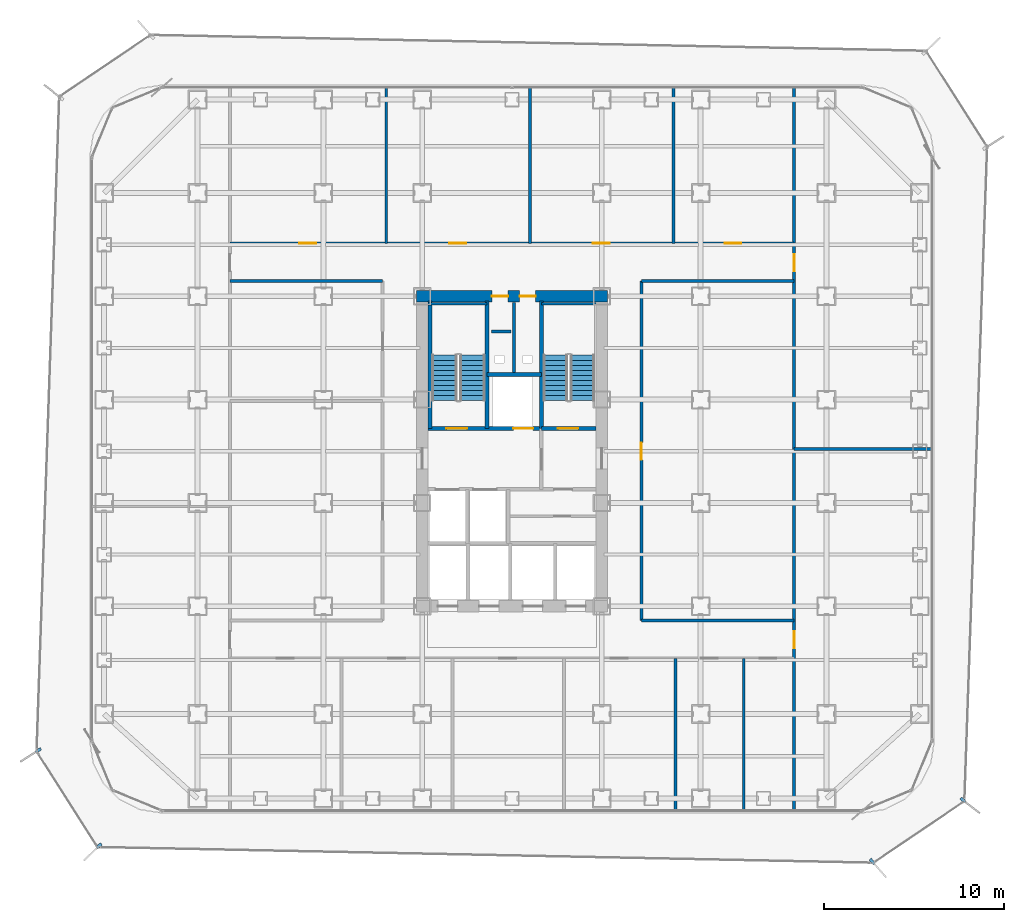
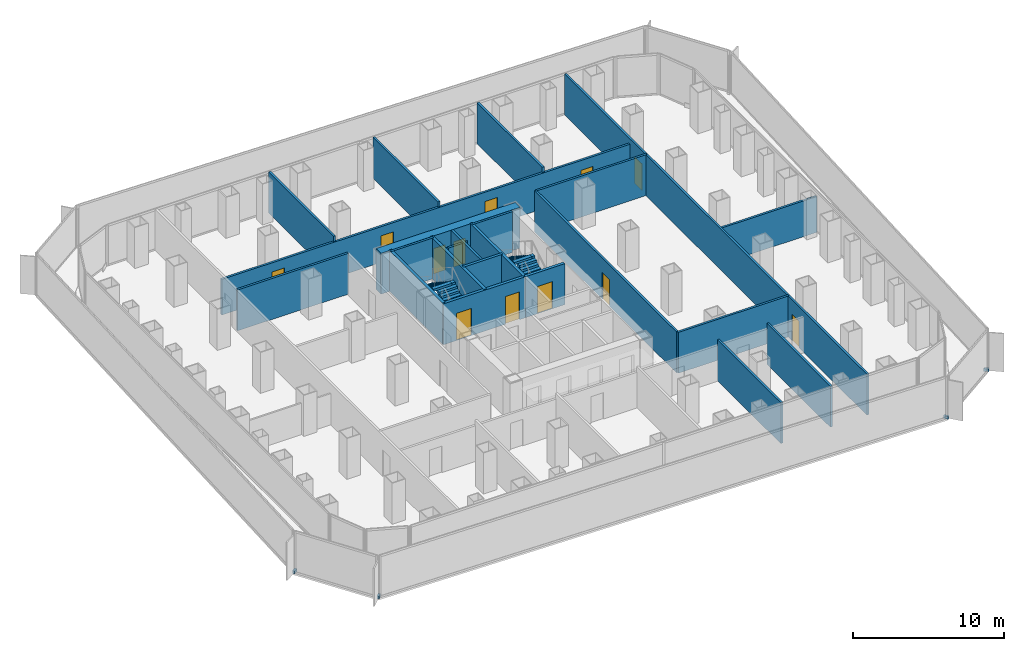
# One storey, part 18 of 22: 23 walls, 12 doors, 4 discrete accessories, 4 stair flights, 12 openings, 2 elements without a shape of their own.
"""IFC4 building model written with IfcOpenShell, lengths in metres."""

from ifc_helpers import new_model, si_unit, direction, frame, frame_2d, origin, origin_2d, place, context, subcontext, project, spatial, polyline, rectangle, outline, extrude, source, transform, mapped, material, layer, layer_set, type_object, element, fill, aggregate, save


model = new_model("IFC4")

# Units and contexts
model_context = context("Model", 3, precision=1e-05, world=origin(), true_north=direction((0.0, 1.0)))
body_context = subcontext(model_context, "Body", "Model", "MODEL_VIEW")
ifc_project = project(units=[si_unit("LENGTHUNIT", "METRE"), si_unit("AREAUNIT", "SQUARE_METRE"), si_unit("VOLUMEUNIT", "CUBIC_METRE"), si_unit("PLANEANGLEUNIT", "RADIAN"), si_unit("MASSUNIT", "GRAM", prefix="KILO")], contexts=[model_context])

# Site, building, storey
site_placement = place(None, origin())
site = spatial("IfcSite", under=ifc_project, at=site_placement, CompositionType="ELEMENT")
building_placement = place(site_placement, origin())
building = spatial("IfcBuilding", under=site, at=building_placement, Name="Kolveth Station Tower", CompositionType="ELEMENT")
storey_placement = place(building_placement, frame((0.0, 0.0, 65.699951171875)))
storey = spatial("IfcBuildingStorey", under=building, at=storey_placement, Name="L17", CompositionType="ELEMENT", Elevation=65.699951171875)

# Wall, openings, doors
ifc_material_1 = material(Name="Concrete C60/75", Category="concrete")
ifc_layer_1 = layer(ifc_material_1, 0.64990234375)
ifc_layer_set_1 = layer_set([ifc_layer_1], Name="Concrete C60/75")
wall_type_1 = type_object("IfcWallType", Name="Wall_CW-650", PredefinedType="SHEAR", material=ifc_layer_set_1)
wall_1_placement = place(storey_placement, frame((18.175048828125, 28.75, 0.0), z_axis=(0.0, 0.0, 1.0), x_axis=(1.0, 0.0, 0.0)))
wall_1 = element("IfcWall", 1, at=wall_1_placement, inside=storey, type_object=wall_type_1, Name="L17 Core RC Shear Wall N", PredefinedType="SHEAR", context=body_context, shape_type="SweptSolid", body=[
    extrude(rectangle(XDim=10.64990234375, YDim=0.64990234375, at=frame_2d((5.324951171875, 0.0))), origin(), (0.0, 0.0, 1.0), 3.320068359375),
])
opening_1_placement = place(wall_1_placement, frame((4.205078125, 0.0, 0.0)))
opening_1 = element("IfcOpeningElement", 2, at=opening_1_placement, cuts=wall_1, Name="Opening RD1", PredefinedType="OPENING", context=body_context, shape_type="SweptSolid", body=[
    extrude(rectangle(XDim=0.89990234375, YDim=2.050048828125, at=frame_2d((0.449951171875, 1.02490234375))), frame((0.0, 0.3349609375, 0.0), z_axis=(0.0, -1.0, 0.0), x_axis=(1.0, 0.0, 0.0)), (0.0, 0.0, 1.0), 0.669921875),
])
opening_2_placement = place(wall_1_placement, frame((5.7451171875, 0.0, 0.0)))
opening_2 = element("IfcOpeningElement", 3, at=opening_2_placement, cuts=wall_1, Name="Opening RD1", PredefinedType="OPENING", context=body_context, shape_type="SweptSolid", body=[
    extrude(rectangle(XDim=0.89990234375, YDim=2.050048828125, at=frame_2d((0.449951171875, 1.02490234375))), frame((0.0, 0.3349609375, 0.0), z_axis=(0.0, -1.0, 0.0), x_axis=(1.0, 0.0, 0.0)), (0.0, 0.0, 1.0), 0.669921875),
])
ifc_material_2 = material(Name="Fire-rated Steel S355 riser access leaf", Category="steel")
door_type_1 = type_object("IfcDoorType", Name="Door_RD1", OperationType="NOTDEFINED", PredefinedType="DOOR", material=ifc_material_2)
door_1_placement = place(opening_1_placement, origin())
door_1 = element("IfcDoor", 4, at=door_1_placement, inside=storey, type_object=door_type_1, Name="L17 Electrical Riser Access Door", OperationType="SINGLE_SWING_RIGHT", OverallHeight=2.050048828125, OverallWidth=0.89990234375, PredefinedType="DOOR", context=body_context, shape_type="SweptSolid", body=[
    extrude(rectangle(XDim=0.89990234375, YDim=2.050048828125, at=frame_2d((0.449951171875, 1.02490234375))), frame((0.0, 0.02490234375, 0.0), z_axis=(0.0, -1.0, 0.0), x_axis=(1.0, 0.0, 0.0)), (0.0, 0.0, 1.0), 0.050048828125),
])
fill(opening_1, door_1)
door_2_placement = place(opening_2_placement, origin())
door_2 = element("IfcDoor", 5, at=door_2_placement, inside=storey, type_object=door_type_1, Name="L17 Smoke Duct Access Door", OperationType="SINGLE_SWING_LEFT", OverallHeight=2.050048828125, OverallWidth=0.89990234375, PredefinedType="DOOR", context=body_context, shape_type="SweptSolid", body=[
    extrude(rectangle(XDim=0.89990234375, YDim=2.050048828125, at=frame_2d((0.449951171875, 1.02490234375))), frame((0.0, 0.02490234375, 0.0), z_axis=(0.0, -1.0, 0.0), x_axis=(1.0, 0.0, 0.0)), (0.0, 0.0, 1.0), 0.050048828125),
])
fill(opening_2, door_2)

# Walls
ifc_material_3 = material(Name="Acoustic double-stud gypsum partition")
ifc_layer_2 = layer(ifc_material_3, 0.1650390625)
ifc_layer_set_2 = layer_set([ifc_layer_2], Name="Acoustic double-stud gypsum partition")
wall_type_2 = type_object("IfcWallType", Name="Wall_IW-165", PredefinedType="PARTITIONING", material=ifc_layer_set_2)
wall_2_placement = place(storey_placement, frame((18.8349609375, 28.3349609375, 0.0), z_axis=(0.0, 0.0, 1.0), x_axis=(1.0, 0.0, 0.0)))
element("IfcWall", 6, at=wall_2_placement, inside=storey, type_object=wall_type_2, Name="L17 Stair Shaft Wall WL-L17-ST1-N", PredefinedType="PARTITIONING", context=body_context, shape_type="SweptSolid", body=[
    extrude(rectangle(XDim=3.275146484375, YDim=0.1650390625, at=frame_2d((1.6376953125, 0.0))), origin(), (0.0, 0.0, 1.0), 3.320068359375),
])
wall_3_placement = place(storey_placement, frame((25.1298828125, 28.3349609375, 0.0), z_axis=(0.0, 0.0, 1.0), x_axis=(1.0, 0.0, 0.0)))
element("IfcWall", 7, at=wall_3_placement, inside=storey, type_object=wall_type_2, Name="L17 Stair Shaft Wall WL-L17-ST2-N", PredefinedType="PARTITIONING", context=body_context, shape_type="SweptSolid", body=[
    extrude(rectangle(XDim=3.03515625, YDim=0.1650390625, at=frame_2d((1.517578125, 0.0))), origin(), (0.0, 0.0, 1.0), 3.320068359375),
])
wall_4_placement = place(storey_placement, frame((23.6201171875, 24.39990234375, 0.0), z_axis=(0.0, 0.0, 1.0), x_axis=(0.0, 1.0, 0.0)))
element("IfcWall", 8, at=wall_4_placement, inside=storey, type_object=wall_type_2, Name="L17 Partition Wall WL-L17-RSR-M", PredefinedType="PARTITIONING", context=body_context, shape_type="SweptSolid", body=[
    extrude(rectangle(XDim=4.01513671875, YDim=0.1650390625, at=frame_2d((2.007568359375, 0.0))), origin(), (0.0, 0.0, 1.0), 3.320068359375),
])

# Wall, openings, doors
wall_5_placement = place(storey_placement, frame((7.800048828125, 31.699951171875, 0.0), z_axis=(0.0, 0.0, 1.0), x_axis=(1.0, 0.0, 0.0)))
wall_5 = element("IfcWall", 9, at=wall_5_placement, inside=storey, type_object=wall_type_2, Name="L17 Partition Wall WL-L17-ON", PredefinedType="PARTITIONING", context=body_context, shape_type="SweptSolid", body=[
    extrude(rectangle(XDim=31.39990234375, YDim=0.1650390625, at=frame_2d((15.699951171875, 0.0))), origin(), (0.0, 0.0, 1.0), 2.89794921875),
])
opening_3_placement = place(wall_5_placement, frame((3.85009765625, 0.0, 0.0)))
opening_3 = element("IfcOpeningElement", 10, at=opening_3_placement, cuts=wall_5, Name="Opening ID1", PredefinedType="OPENING", context=body_context, shape_type="SweptSolid", body=[
    extrude(rectangle(XDim=0.949951171875, YDim=2.14990234375, at=frame_2d((0.47509765625, 1.074951171875))), frame((0.0, 0.092529296875, 0.0), z_axis=(0.0, -1.0, 0.0), x_axis=(1.0, 0.0, 0.0)), (0.0, 0.0, 1.0), 0.18505859375),
])
opening_4_placement = place(wall_5_placement, frame((12.199951171875, 0.0, 0.0)))
opening_4 = element("IfcOpeningElement", 11, at=opening_4_placement, cuts=wall_5, Name="Opening ID1", PredefinedType="OPENING", context=body_context, shape_type="SweptSolid", body=[
    extrude(rectangle(XDim=0.949951171875, YDim=2.14990234375, at=frame_2d((0.47509765625, 1.074951171875))), frame((0.0, 0.092529296875, 0.0), z_axis=(0.0, -1.0, 0.0), x_axis=(1.0, 0.0, 0.0)), (0.0, 0.0, 1.0), 0.18505859375),
])
opening_5_placement = place(wall_5_placement, frame((20.199951171875, 0.0, 0.0)))
opening_5 = element("IfcOpeningElement", 12, at=opening_5_placement, cuts=wall_5, Name="Opening ID1", PredefinedType="OPENING", context=body_context, shape_type="SweptSolid", body=[
    extrude(rectangle(XDim=0.949951171875, YDim=2.14990234375, at=frame_2d((0.47509765625, 1.074951171875))), frame((0.0, 0.092529296875, 0.0), z_axis=(0.0, -1.0, 0.0), x_axis=(1.0, 0.0, 0.0)), (0.0, 0.0, 1.0), 0.18505859375),
])
opening_6_placement = place(wall_5_placement, frame((27.550048828125, 0.0, 0.0)))
opening_6 = element("IfcOpeningElement", 13, at=opening_6_placement, cuts=wall_5, Name="Opening ID2", PredefinedType="OPENING", context=body_context, shape_type="SweptSolid", body=[
    extrude(rectangle(XDim=0.919921875, YDim=2.10009765625, at=frame_2d((0.4599609375, 1.050048828125))), frame((0.0, 0.092529296875, 0.0), z_axis=(0.0, -1.0, 0.0), x_axis=(1.0, 0.0, 0.0)), (0.0, 0.0, 1.0), 0.18505859375),
])
ifc_material_4 = material(Name="Acoustic hardwood leaf and aluminium frame", Category="wood")
door_type_2 = type_object("IfcDoorType", Name="Door_ID1", OperationType="NOTDEFINED", PredefinedType="DOOR", material=ifc_material_4)
door_3_placement = place(opening_3_placement, origin())
door_3 = element("IfcDoor", 14, at=door_3_placement, inside=storey, type_object=door_type_2, Name="L17 Cellular Office 1 Door", OperationType="SINGLE_SWING_RIGHT", OverallHeight=2.14990234375, OverallWidth=0.949951171875, PredefinedType="DOOR", context=body_context, shape_type="SweptSolid", body=[
    extrude(rectangle(XDim=0.949951171875, YDim=2.14990234375, at=frame_2d((0.47509765625, 1.074951171875))), frame((0.0, 0.02490234375, 0.0), z_axis=(0.0, -1.0, 0.0), x_axis=(1.0, 0.0, 0.0)), (0.0, 0.0, 1.0), 0.050048828125),
])
fill(opening_3, door_3)
door_4_placement = place(opening_4_placement, origin())
door_4 = element("IfcDoor", 15, at=door_4_placement, inside=storey, type_object=door_type_2, Name="L17 Cellular Office 2 Door", OperationType="SINGLE_SWING_LEFT", OverallHeight=2.14990234375, OverallWidth=0.949951171875, PredefinedType="DOOR", context=body_context, shape_type="SweptSolid", body=[
    extrude(rectangle(XDim=0.949951171875, YDim=2.14990234375, at=frame_2d((0.47509765625, 1.074951171875))), frame((0.0, 0.02490234375, 0.0), z_axis=(0.0, -1.0, 0.0), x_axis=(1.0, 0.0, 0.0)), (0.0, 0.0, 1.0), 0.050048828125),
])
fill(opening_4, door_4)
door_5_placement = place(opening_5_placement, origin())
door_5 = element("IfcDoor", 16, at=door_5_placement, inside=storey, type_object=door_type_2, Name="L17 Meeting Room E Door", OperationType="SINGLE_SWING_RIGHT", OverallHeight=2.14990234375, OverallWidth=0.949951171875, PredefinedType="DOOR", context=body_context, shape_type="SweptSolid", body=[
    extrude(rectangle(XDim=0.949951171875, YDim=2.14990234375, at=frame_2d((0.47509765625, 1.074951171875))), frame((0.0, 0.02490234375, 0.0), z_axis=(0.0, -1.0, 0.0), x_axis=(1.0, 0.0, 0.0)), (0.0, 0.0, 1.0), 0.050048828125),
])
fill(opening_5, door_5)
ifc_material_5 = material(Name="Moisture-resistant hardwood leaf", Category="wood")
door_type_3 = type_object("IfcDoorType", Name="Door_ID2", OperationType="NOTDEFINED", PredefinedType="DOOR", material=ifc_material_5)
door_6_placement = place(opening_6_placement, origin())
door_6 = element("IfcDoor", 17, at=door_6_placement, inside=storey, type_object=door_type_3, Name="L17 Staff Toilet Door", OperationType="SINGLE_SWING_LEFT", OverallHeight=2.10009765625, OverallWidth=0.919921875, PredefinedType="DOOR", context=body_context, shape_type="SweptSolid", body=[
    extrude(rectangle(XDim=0.919921875, YDim=2.10009765625, at=frame_2d((0.4599609375, 1.050048828125))), frame((0.0, 0.02490234375, 0.0), z_axis=(0.0, -1.0, 0.0), x_axis=(1.0, 0.0, 0.0)), (0.0, 0.0, 1.0), 0.050048828125),
])
fill(opening_6, door_6)

# Walls
for number, where, z_axis, x_axis, name in (
    (18, (30.699951171875, 10.699951171875, 0.0), (0.0, 0.0, 1.0), (1.0, 0.0, 0.0), "L17 Partition Wall WL-L17-OSET"),
    (19, (7.800048828125, 29.60009765625, 0.0), (0.0, 0.0, 1.0), (1.0, 0.0, 0.0), "L17 Partition Wall WL-L17-ONWB"),
    (20, (30.699951171875, 29.60009765625, 0.0), (0.0, 0.0, 1.0), (1.0, 0.0, 0.0), "L17 Partition Wall WL-L17-ONEB"),
):
    element("IfcWall", number, at=place(storey_placement, frame(where, z_axis=z_axis, x_axis=x_axis)), inside=storey, type_object=wall_type_2, Name=name, PredefinedType="PARTITIONING", context=body_context, shape_type="SweptSolid", body=[
        extrude(rectangle(XDim=8.5, YDim=0.1650390625, at=frame_2d((4.25, 0.0))), origin(), (0.0, 0.0, 1.0), 3.320068359375),
    ])

# Wall, opening, door
wall_6_placement = place(storey_placement, frame((30.699951171875, 10.699951171875, 0.0), z_axis=(0.0, 0.0, 1.0), x_axis=(0.0, 1.0, 0.0)))
wall_6 = element("IfcWall", 21, at=wall_6_placement, inside=storey, type_object=wall_type_2, Name="L17 Partition Wall WL-L17-OCE", PredefinedType="PARTITIONING", context=body_context, shape_type="SweptSolid", body=[
    extrude(rectangle(XDim=18.900146484375, YDim=0.1650390625, at=frame_2d((9.4501953125, 0.0))), origin(), (0.0, 0.0, 1.0), 3.320068359375),
])
opening_7_placement = place(wall_6_placement, frame((8.949951171875, 0.0, 0.0)))
opening_7 = element("IfcOpeningElement", 22, at=opening_7_placement, cuts=wall_6, Name="Opening ID1", PredefinedType="OPENING", context=body_context, shape_type="SweptSolid", body=[
    extrude(rectangle(XDim=0.949951171875, YDim=2.14990234375, at=frame_2d((0.47509765625, 1.074951171875))), frame((0.0, 0.092529296875, 0.0), z_axis=(0.0, -1.0, 0.0), x_axis=(1.0, 0.0, 0.0)), (0.0, 0.0, 1.0), 0.18505859375),
])
door_7_placement = place(opening_7_placement, origin())
door_7 = element("IfcDoor", 23, at=door_7_placement, inside=storey, type_object=door_type_2, Name="L17 Internal Meeting Room E1 Door", OperationType="SINGLE_SWING_RIGHT", OverallHeight=2.14990234375, OverallWidth=0.949951171875, PredefinedType="DOOR", context=body_context, shape_type="SweptSolid", body=[
    extrude(rectangle(XDim=0.949951171875, YDim=2.14990234375, at=frame_2d((0.47509765625, 1.074951171875))), frame((0.0, 0.02490234375, 0.0), z_axis=(0.0, -1.0, 0.0), x_axis=(1.0, 0.0, 0.0)), (0.0, 0.0, 1.0), 0.050048828125),
])
fill(opening_7, door_7)

# Wall, openings, doors
wall_7_placement = place(storey_placement, frame((39.199951171875, 0.159912109375, 0.0), z_axis=(0.0, 0.0, 1.0), x_axis=(0.0, 1.0, 0.0)))
wall_7 = element("IfcWall", 24, at=wall_7_placement, inside=storey, type_object=wall_type_2, Name="L17 Partition Wall WL-L17-OEEND", PredefinedType="PARTITIONING", context=body_context, shape_type="SweptSolid", body=[
    extrude(rectangle(XDim=40.18017578125, YDim=0.1650390625, at=frame_2d((20.090087890625, 0.0))), origin(), (0.0, 0.0, 1.0), 3.320068359375),
])
opening_8_placement = place(wall_7_placement, frame((8.989990234375, 0.0, 0.0)))
opening_8 = element("IfcOpeningElement", 25, at=opening_8_placement, cuts=wall_7, Name="Opening ID1", PredefinedType="OPENING", context=body_context, shape_type="SweptSolid", body=[
    extrude(rectangle(XDim=0.949951171875, YDim=2.14990234375, at=frame_2d((0.47509765625, 1.074951171875))), frame((0.0, 0.092529296875, 0.0), z_axis=(0.0, -1.0, 0.0), x_axis=(1.0, 0.0, 0.0)), (0.0, 0.0, 1.0), 0.18505859375),
])
opening_9_placement = place(wall_7_placement, frame((29.989990234375, 0.0, 0.0)))
opening_9 = element("IfcOpeningElement", 26, at=opening_9_placement, cuts=wall_7, Name="Opening ID1", PredefinedType="OPENING", context=body_context, shape_type="SweptSolid", body=[
    extrude(rectangle(XDim=0.949951171875, YDim=2.14990234375, at=frame_2d((0.47509765625, 1.074951171875))), frame((0.0, 0.092529296875, 0.0), z_axis=(0.0, -1.0, 0.0), x_axis=(1.0, 0.0, 0.0)), (0.0, 0.0, 1.0), 0.18505859375),
])
door_8_placement = place(opening_8_placement, origin())
door_8 = element("IfcDoor", 27, at=door_8_placement, inside=storey, type_object=door_type_2, Name="L17 East-South Wing Door", OperationType="SINGLE_SWING_RIGHT", OverallHeight=2.14990234375, OverallWidth=0.949951171875, PredefinedType="DOOR", context=body_context, shape_type="SweptSolid", body=[
    extrude(rectangle(XDim=0.949951171875, YDim=2.14990234375, at=frame_2d((0.47509765625, 1.074951171875))), frame((0.0, 0.02490234375, 0.0), z_axis=(0.0, -1.0, 0.0), x_axis=(1.0, 0.0, 0.0)), (0.0, 0.0, 1.0), 0.050048828125),
])
fill(opening_8, door_8)
door_9_placement = place(opening_9_placement, origin())
door_9 = element("IfcDoor", 28, at=door_9_placement, inside=storey, type_object=door_type_2, Name="L17 East-North Wing Door", OperationType="SINGLE_SWING_LEFT", OverallHeight=2.14990234375, OverallWidth=0.949951171875, PredefinedType="DOOR", context=body_context, shape_type="SweptSolid", body=[
    extrude(rectangle(XDim=0.949951171875, YDim=2.14990234375, at=frame_2d((0.47509765625, 1.074951171875))), frame((0.0, 0.02490234375, 0.0), z_axis=(0.0, -1.0, 0.0), x_axis=(1.0, 0.0, 0.0)), (0.0, 0.0, 1.0), 0.050048828125),
])
fill(opening_9, door_9)

# Walls
for number, where, z_axis, x_axis, name in (
    (29, (32.60009765625, 0.159912109375, 0.0), (0.0, 0.0, 1.0), (0.0, 1.0, 0.0), "L17 Partition Wall WL-L17-OS-P4"),
    (30, (36.39990234375, 0.159912109375, 0.0), (0.0, 0.0, 1.0), (0.0, 1.0, 0.0), "L17 Partition Wall WL-L17-OS-P5"),
):
    element("IfcWall", number, at=place(storey_placement, frame(where, z_axis=z_axis, x_axis=x_axis)), inside=storey, type_object=wall_type_2, Name=name, PredefinedType="PARTITIONING", context=body_context, shape_type="SweptSolid", body=[
        extrude(rectangle(XDim=8.440185546875, YDim=0.1650390625, at=frame_2d((4.22021484375, 0.0))), origin(), (0.0, 0.0, 1.0), 3.320068359375),
    ])
for number, where, z_axis, x_axis, name in (
    (31, (16.5, 31.699951171875, 0.0), (0.0, 0.0, 1.0), (0.0, 1.0, 0.0), "L17 Partition Wall WL-L17-ON-P1"),
    (32, (24.5, 31.699951171875, 0.0), (0.0, 0.0, 1.0), (0.0, 1.0, 0.0), "L17 Partition Wall WL-L17-ON-P2"),
    (33, (32.5, 31.699951171875, 0.0), (0.0, 0.0, 1.0), (0.0, 1.0, 0.0), "L17 Partition Wall WL-L17-ON-P3"),
):
    element("IfcWall", number, at=place(storey_placement, frame(where, z_axis=z_axis, x_axis=x_axis)), inside=storey, type_object=wall_type_2, Name=name, PredefinedType="PARTITIONING", context=body_context, shape_type="SweptSolid", body=[
        extrude(rectangle(XDim=8.64013671875, YDim=0.1650390625, at=frame_2d((4.320068359375, 0.0))), origin(), (0.0, 0.0, 1.0), 3.320068359375),
    ])
wall_8_placement = place(storey_placement, frame((39.199951171875, 20.25, 0.0), z_axis=(0.0, 0.0, 1.0), x_axis=(1.0, 0.0, 0.0)))
element("IfcWall", 34, at=wall_8_placement, inside=storey, type_object=wall_type_2, Name="L17 Partition Wall WL-L17-OEM", PredefinedType="PARTITIONING", context=body_context, shape_type="SweptSolid", body=[
    extrude(rectangle(XDim=7.64013671875, YDim=0.1650390625, at=frame_2d((3.820068359375, 0.0))), origin(), (0.0, 0.0, 1.0), 2.89794921875),
])
wall_9_placement = place(storey_placement, frame((22.35009765625, 26.800048828125, 0.0), z_axis=(0.0, 0.0, 1.0), x_axis=(1.0, 0.0, 0.0)))
element("IfcWall", 35, at=wall_9_placement, inside=storey, type_object=wall_type_2, Name="L17 Acoustic Riser Dry-Lining Wall", PredefinedType="PARTITIONING", context=body_context, shape_type="SweptSolid", body=[
    extrude(rectangle(XDim=1.099853515625, YDim=0.1650390625, at=frame_2d((0.5498046875, 0.0))), origin(), (0.0, 0.0, 1.0), 3.320068359375),
])
ifc_material_6 = material(Name="Acoustic fire-rated gypsum blockwork", Category="masonry")
ifc_layer_3 = layer(ifc_material_6, 0.199951171875)
ifc_layer_set_3 = layer_set([ifc_layer_3], Name="Acoustic fire-rated gypsum blockwork")
wall_type_3 = type_object("IfcWallType", Name="Wall_IW-200", PredefinedType="PARTITIONING", material=ifc_layer_set_3)
wall_10_placement = place(storey_placement, frame((22.110107421875, 24.39990234375, 0.0), z_axis=(0.0, 0.0, 1.0), x_axis=(1.0, 0.0, 0.0)))
element("IfcWall", 36, at=wall_10_placement, inside=storey, type_object=wall_type_3, Name="L17 Partition Wall WL-L17-RSR-S", PredefinedType="PARTITIONING", context=body_context, shape_type="SweptSolid", body=[
    extrude(rectangle(XDim=3.019775390625, YDim=0.199951171875, at=frame_2d((1.509765625, 0.0))), origin(), (0.0, 0.0, 1.0), 3.320068359375),
])
ifc_material_7 = material(Name="Concrete C40/50", Category="concrete")
ifc_layer_4 = layer(ifc_material_7, 0.219970703125)
ifc_layer_set_4 = layer_set([ifc_layer_4], Name="Concrete C40/50")
wall_type_4 = type_object("IfcWallType", Name="Wall_IW-220", PredefinedType="SOLIDWALL", material=ifc_layer_set_4)
for number, where, z_axis, x_axis, name in (
    (37, (18.929931640625, 21.389892578125, 0.0), (0.0, 0.0, 1.0), (0.0, 1.0, 0.0), "L17 Stair Shaft Wall WL-L17-ST1-W"),
    (38, (22.110107421875, 21.389892578125, 0.0), (0.0, 0.0, 1.0), (0.0, 1.0, 0.0), "L17 Stair Shaft Wall WL-L17-ST1-E"),
    (39, (25.1298828125, 21.389892578125, 0.0), (0.0, 0.0, 1.0), (0.0, 1.0, 0.0), "L17 Stair Shaft Wall WL-L17-ST2-W"),
):
    element("IfcWall", number, at=place(storey_placement, frame(where, z_axis=z_axis, x_axis=x_axis)), inside=storey, type_object=wall_type_4, Name=name, PredefinedType="SOLIDWALL", context=body_context, shape_type="SweptSolid", body=[
        extrude(rectangle(XDim=7.110107421875, YDim=0.219970703125, at=frame_2d((3.55517578125, 0.0))), origin(), (0.0, 0.0, 1.0), 3.320068359375),
    ])

# Wall, openings, doors
wall_11_placement = place(storey_placement, frame((18.8349609375, 21.389892578125, 0.0), z_axis=(0.0, 0.0, 1.0), x_axis=(1.0, 0.0, 0.0)))
wall_11 = element("IfcWall", 40, at=wall_11_placement, inside=storey, type_object=wall_type_4, Name="L17 Stair Shaft Wall WL-L17-ST1-S", PredefinedType="SOLIDWALL", context=body_context, shape_type="SweptSolid", body=[
    extrude(rectangle(XDim=6.294921875, YDim=0.219970703125, at=frame_2d((3.1474609375, 0.0))), origin(), (0.0, 0.0, 1.0), 3.320068359375),
])
opening_10_placement = place(wall_11_placement, frame((1.014892578125, 0.0, 0.0)))
opening_10 = element("IfcOpeningElement", 41, at=opening_10_placement, cuts=wall_11, Name="Opening FD1", PredefinedType="OPENING", context=body_context, shape_type="SweptSolid", body=[
    extrude(rectangle(XDim=1.14990234375, YDim=2.199951171875, at=frame_2d((0.574951171875, 1.10009765625))), frame((0.0, 0.119873046875, 0.0), z_axis=(0.0, -1.0, 0.0), x_axis=(1.0, 0.0, 0.0)), (0.0, 0.0, 1.0), 0.239990234375),
])
opening_11_placement = place(wall_11_placement, frame((4.7451171875, 0.0, 0.0)))
opening_11 = element("IfcOpeningElement", 42, at=opening_11_placement, cuts=wall_11, Name="Opening LD1", PredefinedType="OPENING", context=body_context, shape_type="SweptSolid", body=[
    extrude(rectangle(XDim=1.10009765625, YDim=2.25, at=frame_2d((0.550048828125, 1.125))), frame((0.0, 0.119873046875, 0.0), z_axis=(0.0, -1.0, 0.0), x_axis=(1.0, 0.0, 0.0)), (0.0, 0.0, 1.0), 0.239990234375),
])
ifc_material_8 = material(Name="Fire-rated Steel S355 leaf and frame", Category="steel")
door_type_4 = type_object("IfcDoorType", Name="Door_FD1", OperationType="NOTDEFINED", PredefinedType="DOOR", material=ifc_material_8)
door_10_placement = place(opening_10_placement, frame((1.14990234375, 0.0, 0.0), z_axis=(0.0, 0.0, 1.0), x_axis=(-1.0, 0.0, 0.0)))
door_10 = element("IfcDoor", 43, at=door_10_placement, inside=storey, type_object=door_type_4, Name="L17 Stair ST1 Fire Door", OperationType="SINGLE_SWING_LEFT", OverallHeight=2.199951171875, OverallWidth=1.14990234375, PredefinedType="DOOR", context=body_context, shape_type="SweptSolid", body=[
    extrude(rectangle(XDim=1.14990234375, YDim=2.199951171875, at=frame_2d((0.574951171875, 1.10009765625))), frame((0.0, 0.02490234375, 0.0), z_axis=(0.0, -1.0, 0.0), x_axis=(1.0, 0.0, 0.0)), (0.0, 0.0, 1.0), 0.050048828125),
])
fill(opening_10, door_10)
ifc_material_9 = material(Name="Brushed stainless steel sliding landing doors", Category="steel")
door_type_5 = type_object("IfcDoorType", Name="Door_LD1", OperationType="NOTDEFINED", PredefinedType="DOOR", material=ifc_material_9)
door_11_placement = place(opening_11_placement, frame((1.10009765625, 0.0, 0.0), z_axis=(0.0, 0.0, 1.0), x_axis=(-1.0, 0.0, 0.0)))
door_11 = element("IfcDoor", 44, at=door_11_placement, inside=storey, type_object=door_type_5, Name="L17 Service Lift SV1 Landing Door", OperationType="DOUBLE_DOOR_SLIDING", OverallHeight=2.25, OverallWidth=1.10009765625, PredefinedType="DOOR", context=body_context, shape_type="SweptSolid", body=[
    extrude(rectangle(XDim=1.10009765625, YDim=2.25, at=frame_2d((0.550048828125, 1.125))), frame((0.0, 0.02490234375, 0.0), z_axis=(0.0, -1.0, 0.0), x_axis=(1.0, 0.0, 0.0)), (0.0, 0.0, 1.0), 0.050048828125),
])
fill(opening_11, door_11)

# Wall, opening, door
wall_12_placement = place(storey_placement, frame((25.1298828125, 21.389892578125, 0.0), z_axis=(0.0, 0.0, 1.0), x_axis=(1.0, 0.0, 0.0)))
wall_12 = element("IfcWall", 45, at=wall_12_placement, inside=storey, type_object=wall_type_4, Name="L17 Stair Shaft Wall WL-L17-ST2-S", PredefinedType="SOLIDWALL", context=body_context, shape_type="SweptSolid", body=[
    extrude(rectangle(XDim=3.03515625, YDim=0.219970703125, at=frame_2d((1.517578125, 0.0))), origin(), (0.0, 0.0, 1.0), 3.320068359375),
])
opening_12_placement = place(wall_12_placement, frame((0.919921875, 0.0, 0.0)))
opening_12 = element("IfcOpeningElement", 46, at=opening_12_placement, cuts=wall_12, Name="Opening FD1", PredefinedType="OPENING", context=body_context, shape_type="SweptSolid", body=[
    extrude(rectangle(XDim=1.14990234375, YDim=2.199951171875, at=frame_2d((0.574951171875, 1.10009765625))), frame((0.0, 0.119873046875, 0.0), z_axis=(0.0, -1.0, 0.0), x_axis=(1.0, 0.0, 0.0)), (0.0, 0.0, 1.0), 0.239990234375),
])
door_12_placement = place(opening_12_placement, frame((1.14990234375, 0.0, 0.0), z_axis=(0.0, 0.0, 1.0), x_axis=(-1.0, 0.0, 0.0)))
door_12 = element("IfcDoor", 47, at=door_12_placement, inside=storey, type_object=door_type_4, Name="L17 Stair ST2 Fire Door", OperationType="SINGLE_SWING_RIGHT", OverallHeight=2.199951171875, OverallWidth=1.14990234375, PredefinedType="DOOR", context=body_context, shape_type="SweptSolid", body=[
    extrude(rectangle(XDim=1.14990234375, YDim=2.199951171875, at=frame_2d((0.574951171875, 1.10009765625))), frame((0.0, 0.02490234375, 0.0), z_axis=(0.0, -1.0, 0.0), x_axis=(1.0, 0.0, 0.0)), (0.0, 0.0, 1.0), 0.050048828125),
])
fill(opening_12, door_12)

# Stair, stair flights
stair_type_1 = type_object("IfcStairType", Name="Stair_ST1", PredefinedType="HALF_TURN_STAIR", material=ifc_material_7)
stair_1_placement = place(storey_placement, origin())
stair_1 = element("IfcStair", 48, at=stair_1_placement, inside=storey, type_object=stair_type_1, Name="L17 Tower Exit Stair ST1", PredefinedType="HALF_TURN_STAIR")
ifc_layer_5 = layer(ifc_material_7, 0.179931640625)
ifc_layer_set_5 = layer_set([ifc_layer_5], Name="Concrete C40/50")
stair_flight_type_1 = type_object("IfcStairFlightType", Name="Flight_ST1", PredefinedType="STRAIGHT", material=ifc_layer_set_5)
stair_flight_1_placement = place(storey_placement, frame((21.300048828125, 22.949951171875, 0.0), z_axis=(0.0, 0.0, 1.0), x_axis=(0.0, 1.0, 0.0)))
stair_flight_1 = element("IfcStairFlight", 49, at=stair_flight_1_placement, type_object=stair_flight_type_1, Name="ST1 flight 1", NumberOfRisers=10, NumberOfTreads=9, PredefinedType="STRAIGHT", RiserHeight=0.18, TreadLength=0.28, context=body_context, shape_type="SweptSolid", body=[
    extrude(outline(polyline([(0.0, 0.0), (0.0, 0.179931640625), (0.280029296875, 0.179931640625), (0.280029296875, 0.360107421875), (0.56005859375, 0.360107421875), (0.56005859375, 0.5400390625), (0.840087890625, 0.5400390625), (0.840087890625, 0.719970703125), (1.1201171875, 0.719970703125), (1.1201171875, 0.89990234375), (1.39990234375, 0.89990234375), (1.39990234375, 1.080078125), (1.679931640625, 1.080078125), (1.679931640625, 1.260009765625), (1.9599609375, 1.260009765625), (1.9599609375, 1.43994140625), (2.239990234375, 1.43994140625), (2.239990234375, 1.6201171875), (2.52001953125, 1.6201171875), (2.52001953125, 1.800048828125), (2.52001953125, 1.44189453125), (0.277099609375, 0.0), (0.0, 0.0)])), frame((0.0, 0.699951171875, 0.0), z_axis=(0.0, -1.0, 0.0), x_axis=(1.0, 0.0, 0.0)), (0.0, 0.0, 1.0), 1.39990234375),
])
stair_flight_2_placement = place(storey_placement, frame((19.739990234375, 25.469970703125, 1.800048828125), z_axis=(0.0, 0.0, 1.0), x_axis=(0.0, -1.0, 0.0)))
stair_flight_2 = element("IfcStairFlight", 50, at=stair_flight_2_placement, type_object=stair_flight_type_1, Name="ST1 flight 2", NumberOfRisers=10, NumberOfTreads=9, PredefinedType="STRAIGHT", RiserHeight=0.18, TreadLength=0.28, context=body_context, shape_type="SweptSolid", body=[
    extrude(outline(polyline([(0.0, 0.0), (0.0, 0.179931640625), (0.280029296875, 0.179931640625), (0.280029296875, 0.360107421875), (0.56005859375, 0.360107421875), (0.56005859375, 0.5400390625), (0.840087890625, 0.5400390625), (0.840087890625, 0.719970703125), (1.1201171875, 0.719970703125), (1.1201171875, 0.89990234375), (1.39990234375, 0.89990234375), (1.39990234375, 1.080078125), (1.679931640625, 1.080078125), (1.679931640625, 1.260009765625), (1.9599609375, 1.260009765625), (1.9599609375, 1.43994140625), (2.239990234375, 1.43994140625), (2.239990234375, 1.6201171875), (2.52001953125, 1.6201171875), (2.52001953125, 1.800048828125), (2.52001953125, 1.44189453125), (0.277099609375, 0.0), (0.0, 0.0)])), frame((0.0, 0.699951171875, 0.0), z_axis=(0.0, -1.0, 0.0), x_axis=(1.0, 0.0, 0.0)), (0.0, 0.0, 1.0), 1.39990234375),
])
aggregate(stair_1, [stair_flight_1, stair_flight_2])

stair_type_2 = type_object("IfcStairType", Name="Stair_ST2", PredefinedType="HALF_TURN_STAIR", material=ifc_material_7)
stair_2_placement = place(storey_placement, origin())
stair_2 = element("IfcStair", 51, at=stair_2_placement, inside=storey, type_object=stair_type_2, Name="L17 Tower Exit Stair ST2", PredefinedType="HALF_TURN_STAIR")
ifc_layer_6 = layer(ifc_material_7, 0.179931640625)
ifc_layer_set_6 = layer_set([ifc_layer_6], Name="Concrete C40/50")
stair_flight_type_2 = type_object("IfcStairFlightType", Name="Flight_ST2", PredefinedType="STRAIGHT", material=ifc_layer_set_6)
stair_flight_3_placement = place(storey_placement, frame((27.425048828125, 22.949951171875, 0.0), z_axis=(0.0, 0.0, 1.0), x_axis=(0.0, 1.0, 0.0)))
stair_flight_3 = element("IfcStairFlight", 52, at=stair_flight_3_placement, type_object=stair_flight_type_2, Name="ST2 flight 1", NumberOfRisers=10, NumberOfTreads=9, PredefinedType="STRAIGHT", RiserHeight=0.18, TreadLength=0.28, context=body_context, shape_type="SweptSolid", body=[
    extrude(outline(polyline([(0.0, 0.0), (0.0, 0.179931640625), (0.280029296875, 0.179931640625), (0.280029296875, 0.360107421875), (0.56005859375, 0.360107421875), (0.56005859375, 0.5400390625), (0.840087890625, 0.5400390625), (0.840087890625, 0.719970703125), (1.1201171875, 0.719970703125), (1.1201171875, 0.89990234375), (1.39990234375, 0.89990234375), (1.39990234375, 1.080078125), (1.679931640625, 1.080078125), (1.679931640625, 1.260009765625), (1.9599609375, 1.260009765625), (1.9599609375, 1.43994140625), (2.239990234375, 1.43994140625), (2.239990234375, 1.6201171875), (2.52001953125, 1.6201171875), (2.52001953125, 1.800048828125), (2.52001953125, 1.44189453125), (0.277099609375, 0.0), (0.0, 0.0)])), frame((0.0, 0.675048828125, 0.0), z_axis=(0.0, -1.0, 0.0), x_axis=(1.0, 0.0, 0.0)), (0.0, 0.0, 1.0), 1.35009765625),
])
stair_flight_4_placement = place(storey_placement, frame((25.9150390625, 25.469970703125, 1.800048828125), z_axis=(0.0, 0.0, 1.0), x_axis=(0.0, -1.0, 0.0)))
stair_flight_4 = element("IfcStairFlight", 53, at=stair_flight_4_placement, type_object=stair_flight_type_2, Name="ST2 flight 2", NumberOfRisers=10, NumberOfTreads=9, PredefinedType="STRAIGHT", RiserHeight=0.18, TreadLength=0.28, context=body_context, shape_type="SweptSolid", body=[
    extrude(outline(polyline([(0.0, 0.0), (0.0, 0.179931640625), (0.280029296875, 0.179931640625), (0.280029296875, 0.360107421875), (0.56005859375, 0.360107421875), (0.56005859375, 0.5400390625), (0.840087890625, 0.5400390625), (0.840087890625, 0.719970703125), (1.1201171875, 0.719970703125), (1.1201171875, 0.89990234375), (1.39990234375, 0.89990234375), (1.39990234375, 1.080078125), (1.679931640625, 1.080078125), (1.679931640625, 1.260009765625), (1.9599609375, 1.260009765625), (1.9599609375, 1.43994140625), (2.239990234375, 1.43994140625), (2.239990234375, 1.6201171875), (2.52001953125, 1.6201171875), (2.52001953125, 1.800048828125), (2.52001953125, 1.44189453125), (0.277099609375, 0.0), (0.0, 0.0)])), frame((0.0, 0.675048828125, 0.0), z_axis=(0.0, -1.0, 0.0), x_axis=(1.0, 0.0, 0.0)), (0.0, 0.0, 1.0), 1.35009765625),
])
aggregate(stair_2, [stair_flight_3, stair_flight_4])

# Discrete accessories
ifc_material_10 = material(Name="Steel S355", Category="steel")
discrete_accessory_type = type_object("IfcDiscreteAccessoryType", Name="Bracket_BK1", PredefinedType="BRACKET", material=ifc_material_10)
shared_shape = source(origin(), body_context, "Body", "SweptSolid", [
    extrude(rectangle(XDim=0.35009765625, YDim=0.159912109375, at=origin_2d()), origin(), (0.0, 0.0, 1.0), 0.219970703125),
])
for number, where, z_axis, x_axis, name in (
    (54, (43.552001953125, -2.708984375, -0.06005859375), (0.0, 0.0, 1.0), (0.657769720534, -0.753219088147, 0.0), "L17 Double-Skin Radial Tie Bracket 1"),
    (55, (48.60791015625, 0.70703125, -0.06005859375), (0.0, 0.0, 1.0), (0.789084084835, -0.614285200099, 0.0), "L17 Double-Skin Radial Tie Bracket 2"),
    (56, (-2.868896484375, 3.472900390625, -0.06005859375), (0.0, 0.0, 1.0), (-0.843672659607, -0.536857935987, 0.0), "L17 Double-Skin Radial Tie Bracket 7"),
    (57, (0.513916015625, -1.843017578125, -0.06005859375), (0.0, 0.0, 1.0), (-0.72091407724, -0.693024453563, 0.0), "L17 Double-Skin Radial Tie Bracket 8"),
):
    element("IfcDiscreteAccessory", number, at=place(storey_placement, frame(where, z_axis=z_axis, x_axis=x_axis)), inside=storey, type_object=discrete_accessory_type, Name=name, PredefinedType="BRACKET", context=body_context, shape_type="MappedRepresentation", body=[
        mapped(shared_shape, transform((0.0, 0.0, 0.0), x_axis=(1.0, 0.0, 0.0), y_axis=(0.0, 1.0, 0.0), z_axis=(0.0, 0.0, 1.0), scale=1.0)),
    ])

save(model, "model.ifc")
